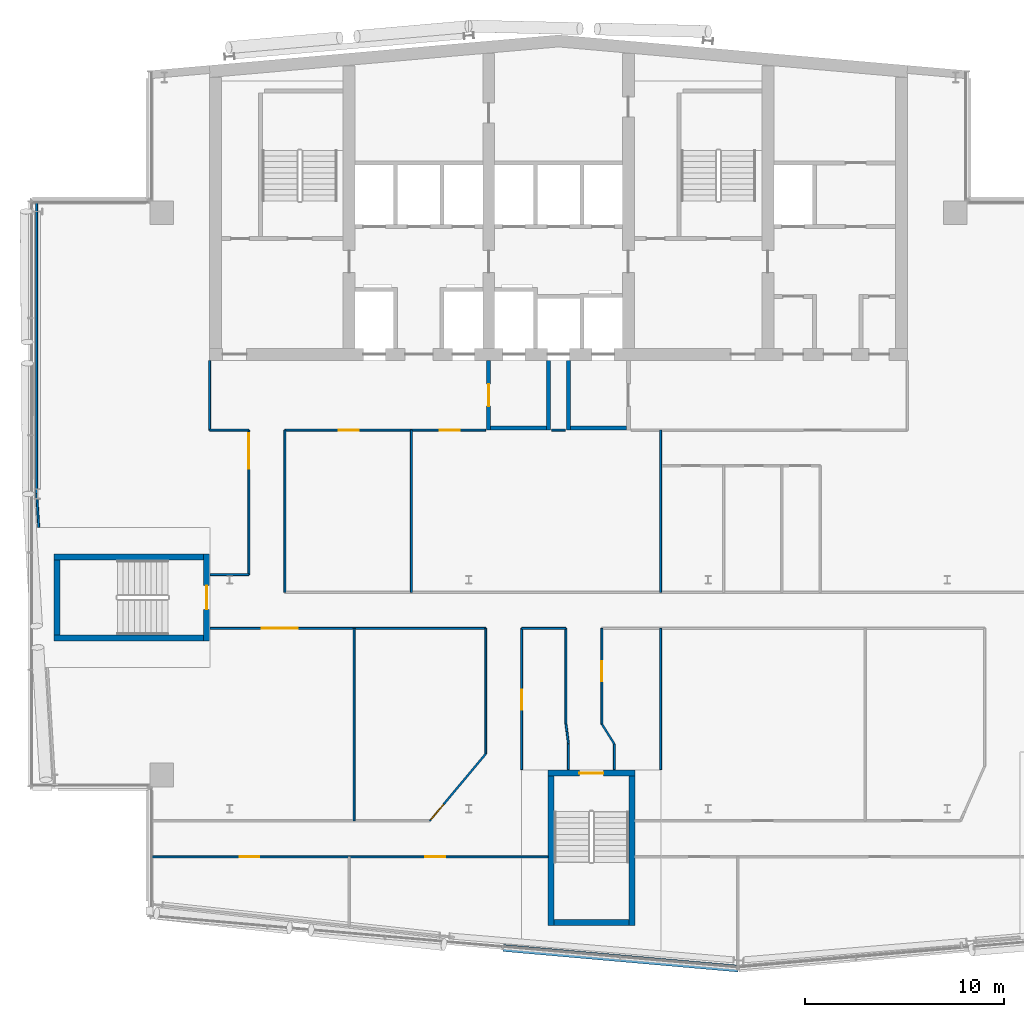
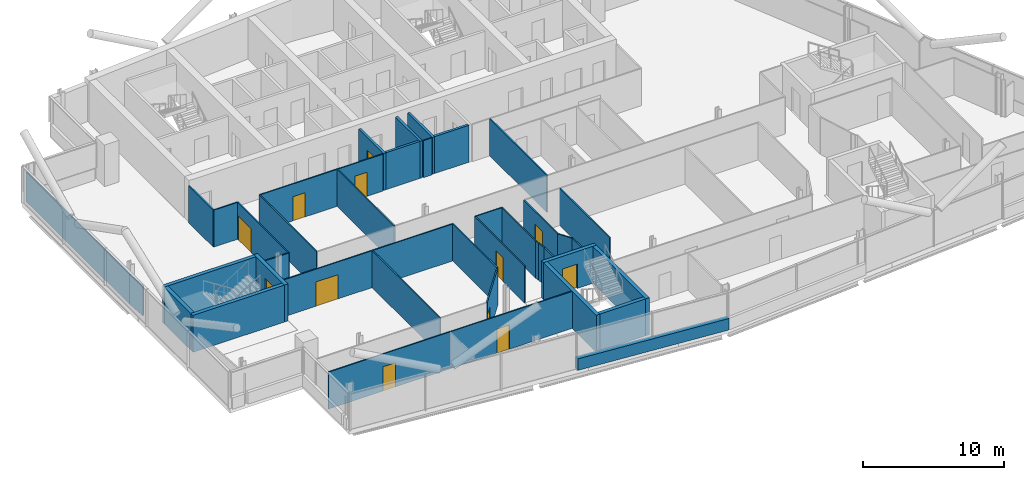
# One storey, part 15 of 27: 40 walls, 12 doors, 12 openings.
"""IFC4 building model written with IfcOpenShell, lengths in metres."""

from ifc_helpers import new_model, si_unit, direction, frame, frame_2d, origin, place, context, subcontext, project, spatial, rectangle, extrude, material, layer, layer_set, type_object, element, fill, save


model = new_model("IFC4")

# Units and contexts
model_context = context("Model", 3, precision=1e-05, world=origin(), true_north=direction((0.0, 1.0)))
body_context = subcontext(model_context, "Body", "Model", "MODEL_VIEW")
ifc_project = project(units=[si_unit("LENGTHUNIT", "METRE"), si_unit("AREAUNIT", "SQUARE_METRE"), si_unit("VOLUMEUNIT", "CUBIC_METRE"), si_unit("PLANEANGLEUNIT", "RADIAN"), si_unit("MASSUNIT", "GRAM", prefix="KILO")], contexts=[model_context])

# Site, building, storey
site_placement = place(None, origin())
site = spatial("IfcSite", under=ifc_project, at=site_placement, CompositionType="ELEMENT")
building_placement = place(site_placement, origin())
building = spatial("IfcBuilding", under=site, at=building_placement, Name="Wharfspan Tower", CompositionType="ELEMENT")
storey_placement = place(building_placement, frame((0.0, 0.0, 243.100098)))
storey = spatial("IfcBuildingStorey", under=building, at=storey_placement, Name="L61", CompositionType="ELEMENT", Elevation=243.100098)

# Wall, openings, doors
ifc_material_1 = material(Name="Gypsum board on steel studs", Category="steel")
ifc_layer_1 = layer(ifc_material_1, 0.100098)
ifc_layer_set_1 = layer_set([ifc_layer_1], Name="Gypsum board on steel studs")
wall_type_1 = type_object("IfcWallType", Name="Compartment wall 100 EI 60", PredefinedType="PARTITIONING", material=ifc_layer_set_1)
wall_1_placement = place(storey_placement, frame((20.02002, 9.094971, 0.0), z_axis=(0.0, 0.0, 1.0), x_axis=(1.0, 0.0, 0.0)))
wall_1 = element("IfcWall", 1, at=wall_1_placement, inside=storey, type_object=wall_type_1, Name="Partition L61.w004", PredefinedType="PARTITIONING", context=body_context, shape_type="SweptSolid", body=[
    extrude(rectangle(XDim=19.957031, YDim=0.100098, at=frame_2d((9.978516, 0.0))), origin(), (0.0, 0.0, 1.0), 3.199951),
])
opening_1_placement = place(wall_1_placement, frame((4.47998, 0.0, 0.0)))
opening_1 = element("IfcOpeningElement", 2, at=opening_1_placement, cuts=wall_1, Name="Opening D5-01", PredefinedType="OPENING", context=body_context, shape_type="SweptSolid", body=[
    extrude(rectangle(XDim=1.0, YDim=2.100098, at=frame_2d((0.5, 1.050049))), frame((0.0, 0.060059, 0.0), z_axis=(0.0, -1.0, 0.0), x_axis=(1.0, 0.0, 0.0)), (0.0, 0.0, 1.0), 0.120117),
])
opening_2_placement = place(wall_1_placement, frame((13.800049, 0.0, 0.0)))
opening_2 = element("IfcOpeningElement", 3, at=opening_2_placement, cuts=wall_1, Name="Opening D5-02", PredefinedType="OPENING", context=body_context, shape_type="SweptSolid", body=[
    extrude(rectangle(XDim=1.0, YDim=2.100098, at=frame_2d((0.5, 1.050049))), frame((0.0, 0.060059, 0.0), z_axis=(0.0, -1.0, 0.0), x_axis=(1.0, 0.0, 0.0)), (0.0, 0.0, 1.0), 0.120117),
])
ifc_material_2 = material(Name="Fire-rated timber door leaf in steel frame", Category="steel")
door_type_1 = type_object("IfcDoorType", Name="Door 1000 FD30S Left", OperationType="SINGLE_SWING_LEFT", PredefinedType="DOOR", material=ifc_material_2)
door_1_placement = place(opening_1_placement, origin())
door_1 = element("IfcDoor", 4, at=door_1_placement, inside=storey, type_object=door_type_1, Name="Door D5-01", OperationType="SINGLE_SWING_LEFT", OverallHeight=2.100098, OverallWidth=1.0, PredefinedType="DOOR", context=body_context, shape_type="SweptSolid", body=[
    extrude(rectangle(XDim=1.0, YDim=2.100098, at=frame_2d((0.5, 1.050049))), frame((0.0, 0.024902, 0.0), z_axis=(0.0, -1.0, 0.0), x_axis=(1.0, 0.0, 0.0)), (0.0, 0.0, 1.0), 0.050049),
])
fill(opening_1, door_1)
door_type_2 = type_object("IfcDoorType", Name="Door 1000 FD30S Right", OperationType="SINGLE_SWING_RIGHT", PredefinedType="DOOR", material=ifc_material_2)
door_2_placement = place(opening_2_placement, origin())
door_2 = element("IfcDoor", 5, at=door_2_placement, inside=storey, type_object=door_type_2, Name="Door D5-02", OperationType="SINGLE_SWING_RIGHT", OverallHeight=2.100098, OverallWidth=1.0, PredefinedType="DOOR", context=body_context, shape_type="SweptSolid", body=[
    extrude(rectangle(XDim=1.0, YDim=2.100098, at=frame_2d((0.5, 1.050049))), frame((0.0, 0.024902, 0.0), z_axis=(0.0, -1.0, 0.0), x_axis=(1.0, 0.0, 0.0)), (0.0, 0.0, 1.0), 0.050049),
])
fill(opening_2, door_2)

# Walls
wall_2_placement = place(storey_placement, frame((23.0, 30.5, 0.0), z_axis=(0.0, 0.0, 1.0), x_axis=(0.0, 1.0, 0.0)))
element("IfcWall", 6, at=wall_2_placement, inside=storey, type_object=wall_type_1, Name="Partition L61.w006", PredefinedType="PARTITIONING", context=body_context, shape_type="SweptSolid", body=[
    extrude(rectangle(XDim=3.47998, YDim=0.100098, at=frame_2d((1.73999, 0.0))), origin(), (0.0, 0.0, 1.0), 3.199951),
])
wall_3_placement = place(storey_placement, frame((23.0, 30.5, 0.0), z_axis=(0.0, 0.0, 1.0), x_axis=(1.0, 0.0, 0.0)))
element("IfcWall", 7, at=wall_3_placement, inside=storey, type_object=wall_type_1, Name="Partition L61.w007", PredefinedType="PARTITIONING", context=body_context, shape_type="SweptSolid", body=[
    extrude(rectangle(XDim=1.969971, YDim=0.100098, at=frame_2d((0.984863, 0.0))), origin(), (0.0, 0.0, 1.0), 3.199951),
])

# Wall, opening, door
wall_4_placement = place(storey_placement, frame((23.02002, 20.554932, 0.0), z_axis=(0.0, 0.0, 1.0), x_axis=(1.0, 0.0, 0.0)))
wall_4 = element("IfcWall", 8, at=wall_4_placement, inside=storey, type_object=wall_type_1, Name="Partition L61.w008", PredefinedType="PARTITIONING", context=body_context, shape_type="SweptSolid", body=[
    extrude(rectangle(XDim=13.830078, YDim=0.100098, at=frame_2d((6.915039, 0.0))), origin(), (0.0, 0.0, 1.0), 3.199951),
])
opening_3_placement = place(wall_4_placement, frame((2.60498, 0.0, 0.0)))
opening_3 = element("IfcOpeningElement", 9, at=opening_3_placement, cuts=wall_4, Name="Opening D5-13", PredefinedType="OPENING", context=body_context, shape_type="SweptSolid", body=[
    extrude(rectangle(XDim=1.800049, YDim=2.100098, at=frame_2d((0.899902, 1.050049))), frame((0.0, 0.060059, 0.0), z_axis=(0.0, -1.0, 0.0), x_axis=(1.0, 0.0, 0.0)), (0.0, 0.0, 1.0), 0.120117),
])
door_type_3 = type_object("IfcDoorType", Name="Door 1800 FD30S Double", OperationType="DOUBLE_DOOR_SINGLE_SWING", PredefinedType="DOOR", material=ifc_material_2)
door_3_placement = place(opening_3_placement, origin())
door_3 = element("IfcDoor", 10, at=door_3_placement, inside=storey, type_object=door_type_3, Name="Door D5-13", OperationType="DOUBLE_DOOR_SINGLE_SWING", OverallHeight=2.100098, OverallWidth=1.800049, PredefinedType="DOOR", context=body_context, shape_type="SweptSolid", body=[
    extrude(rectangle(XDim=1.800049, YDim=2.100098, at=frame_2d((0.899902, 1.050049))), frame((0.0, 0.024902, 0.0), z_axis=(0.0, -1.0, 0.0), x_axis=(1.0, 0.0, 0.0)), (0.0, 0.0, 1.0), 0.050049),
])
fill(opening_3, door_3)

# Wall
wall_5_placement = place(storey_placement, frame((23.02002, 23.25, 0.0), z_axis=(0.0, 0.0, 1.0), x_axis=(1.0, 0.0, 0.0)))
element("IfcWall", 11, at=wall_5_placement, inside=storey, type_object=wall_type_1, Name="Partition L61.w009", PredefinedType="PARTITIONING", context=body_context, shape_type="SweptSolid", body=[
    extrude(rectangle(XDim=1.949951, YDim=0.100098, at=frame_2d((0.975098, 0.0))), origin(), (0.0, 0.0, 1.0), 3.199951),
])

# Wall, opening, door
wall_6_placement = place(storey_placement, frame((24.969971, 23.25, 0.0), z_axis=(0.0, 0.0, 1.0), x_axis=(0.0, 1.0, 0.0)))
wall_6 = element("IfcWall", 12, at=wall_6_placement, inside=storey, type_object=wall_type_1, Name="Partition L61.w010", PredefinedType="PARTITIONING", context=body_context, shape_type="SweptSolid", body=[
    extrude(rectangle(XDim=7.25, YDim=0.100098, at=frame_2d((3.625, 0.0))), origin(), (0.0, 0.0, 1.0), 3.199951),
])
opening_4_placement = place(wall_6_placement, frame((5.300049, 0.0, 0.0)))
opening_4 = element("IfcOpeningElement", 13, at=opening_4_placement, cuts=wall_6, Name="Opening D5-18", PredefinedType="OPENING", context=body_context, shape_type="SweptSolid", body=[
    extrude(rectangle(XDim=1.800049, YDim=2.100098, at=frame_2d((0.899902, 1.050049))), frame((0.0, 0.060059, 0.0), z_axis=(0.0, -1.0, 0.0), x_axis=(1.0, 0.0, 0.0)), (0.0, 0.0, 1.0), 0.120117),
])
door_4_placement = place(opening_4_placement, origin())
door_4 = element("IfcDoor", 14, at=door_4_placement, inside=storey, type_object=door_type_3, Name="Door D5-18", OperationType="DOUBLE_DOOR_SINGLE_SWING", OverallHeight=2.100098, OverallWidth=1.800049, PredefinedType="DOOR", context=body_context, shape_type="SweptSolid", body=[
    extrude(rectangle(XDim=1.800049, YDim=2.100098, at=frame_2d((0.899902, 1.050049))), frame((0.0, 0.024902, 0.0), z_axis=(0.0, -1.0, 0.0), x_axis=(1.0, 0.0, 0.0)), (0.0, 0.0, 1.0), 0.050049),
])
fill(opening_4, door_4)

# Wall
wall_7_placement = place(storey_placement, frame((26.77002, 22.360107, 0.0), z_axis=(0.0, 0.0, 1.0), x_axis=(0.0, 1.0, 0.0)))
element("IfcWall", 15, at=wall_7_placement, inside=storey, type_object=wall_type_1, Name="Partition L61.w011", PredefinedType="PARTITIONING", context=body_context, shape_type="SweptSolid", body=[
    extrude(rectangle(XDim=8.139893, YDim=0.100098, at=frame_2d((4.069824, 0.0))), origin(), (0.0, 0.0, 1.0), 3.199951),
])

# Wall, openings, doors
wall_8_placement = place(storey_placement, frame((26.77002, 30.5, 0.0), z_axis=(0.0, 0.0, 1.0), x_axis=(1.0, 0.0, 0.0)))
wall_8 = element("IfcWall", 16, at=wall_8_placement, inside=storey, type_object=wall_type_1, Name="Partition L61.w013", PredefinedType="PARTITIONING", context=body_context, shape_type="SweptSolid", body=[
    extrude(rectangle(XDim=10.080078, YDim=0.100098, at=frame_2d((5.040039, 0.0))), origin(), (0.0, 0.0, 1.0), 3.199951),
])
opening_5_placement = place(wall_8_placement, frame((2.699951, 0.0, 0.0)))
opening_5 = element("IfcOpeningElement", 17, at=opening_5_placement, cuts=wall_8, Name="Opening D5-19", PredefinedType="OPENING", context=body_context, shape_type="SweptSolid", body=[
    extrude(rectangle(XDim=1.0, YDim=2.100098, at=frame_2d((0.5, 1.050049))), frame((0.0, 0.060059, 0.0), z_axis=(0.0, -1.0, 0.0), x_axis=(1.0, 0.0, 0.0)), (0.0, 0.0, 1.0), 0.120117),
])
opening_6_placement = place(wall_8_placement, frame((7.774902, 0.0, 0.0)))
opening_6 = element("IfcOpeningElement", 18, at=opening_6_placement, cuts=wall_8, Name="Opening D5-20", PredefinedType="OPENING", context=body_context, shape_type="SweptSolid", body=[
    extrude(rectangle(XDim=1.0, YDim=2.100098, at=frame_2d((0.5, 1.050049))), frame((0.0, 0.060059, 0.0), z_axis=(0.0, -1.0, 0.0), x_axis=(1.0, 0.0, 0.0)), (0.0, 0.0, 1.0), 0.120117),
])
door_5_placement = place(opening_5_placement, origin())
door_5 = element("IfcDoor", 19, at=door_5_placement, inside=storey, type_object=door_type_1, Name="Door D5-19", OperationType="SINGLE_SWING_LEFT", OverallHeight=2.100098, OverallWidth=1.0, PredefinedType="DOOR", context=body_context, shape_type="SweptSolid", body=[
    extrude(rectangle(XDim=1.0, YDim=2.100098, at=frame_2d((0.5, 1.050049))), frame((0.0, 0.024902, 0.0), z_axis=(0.0, -1.0, 0.0), x_axis=(1.0, 0.0, 0.0)), (0.0, 0.0, 1.0), 0.050049),
])
fill(opening_5, door_5)
door_6_placement = place(opening_6_placement, origin())
door_6 = element("IfcDoor", 20, at=door_6_placement, inside=storey, type_object=door_type_1, Name="Door D5-20", OperationType="SINGLE_SWING_LEFT", OverallHeight=2.100098, OverallWidth=1.0, PredefinedType="DOOR", context=body_context, shape_type="SweptSolid", body=[
    extrude(rectangle(XDim=1.0, YDim=2.100098, at=frame_2d((0.5, 1.050049))), frame((0.0, 0.024902, 0.0), z_axis=(0.0, -1.0, 0.0), x_axis=(1.0, 0.0, 0.0)), (0.0, 0.0, 1.0), 0.050049),
])
fill(opening_6, door_6)

# Walls
wall_9_placement = place(storey_placement, frame((30.25, 10.899902, 0.0), z_axis=(0.0, 0.0, 1.0), x_axis=(0.0, 1.0, 0.0)))
element("IfcWall", 21, at=wall_9_placement, inside=storey, type_object=wall_type_1, Name="Partition L61.w015", PredefinedType="PARTITIONING", context=body_context, shape_type="SweptSolid", body=[
    extrude(rectangle(XDim=9.655029, YDim=0.100098, at=frame_2d((4.827637, 0.0))), origin(), (0.0, 0.0, 1.0), 3.199951),
])
wall_10_placement = place(storey_placement, frame((33.125, 22.360107, 0.0), z_axis=(0.0, 0.0, 1.0), x_axis=(0.0, 1.0, 0.0)))
element("IfcWall", 22, at=wall_10_placement, inside=storey, type_object=wall_type_1, Name="Partition L61.w016", PredefinedType="PARTITIONING", context=body_context, shape_type="SweptSolid", body=[
    extrude(rectangle(XDim=8.139893, YDim=0.100098, at=frame_2d((4.069824, 0.0))), origin(), (0.0, 0.0, 1.0), 3.199951),
])

# Wall, opening, door
wall_11_placement = place(storey_placement, frame((34.040039, 10.89502, 0.0), z_axis=(0.0, 0.0, 1.0), x_axis=(0.641555, 0.767079, 0.0)))
wall_11 = element("IfcWall", 23, at=wall_11_placement, inside=storey, type_object=wall_type_1, Name="Partition L61.w017", PredefinedType="PARTITIONING", context=body_context, shape_type="SweptSolid", body=[
    extrude(rectangle(XDim=4.380127, YDim=0.100098, at=frame_2d((2.189941, 0.0))), origin(), (0.0, 0.0, 1.0), 3.199951),
])
opening_7_placement = place(wall_11_placement, frame((0.080078, 0.0, 0.0)))
opening_7 = element("IfcOpeningElement", 24, at=opening_7_placement, cuts=wall_11, Name="Opening D5-09", PredefinedType="OPENING", context=body_context, shape_type="SweptSolid", body=[
    extrude(rectangle(XDim=1.0, YDim=2.100098, at=frame_2d((0.5, 1.050049))), frame((0.0, 0.060059, 0.0), z_axis=(0.0, -1.0, 0.0), x_axis=(1.0, 0.0, 0.0)), (0.0, 0.0, 1.0), 0.120117),
])
door_7_placement = place(opening_7_placement, origin())
door_7 = element("IfcDoor", 25, at=door_7_placement, inside=storey, type_object=door_type_1, Name="Door D5-09", OperationType="SINGLE_SWING_LEFT", OverallHeight=2.100098, OverallWidth=1.0, PredefinedType="DOOR", context=body_context, shape_type="SweptSolid", body=[
    extrude(rectangle(XDim=1.0, YDim=2.100098, at=frame_2d((0.5, 1.050049))), frame((0.0, 0.024902, 0.0), z_axis=(0.0, -1.0, 0.0), x_axis=(1.0, 0.0, 0.0)), (0.0, 0.0, 1.0), 0.050049),
])
fill(opening_7, door_7)

# Wall
wall_12_placement = place(storey_placement, frame((36.850098, 14.254883, 0.0), z_axis=(0.0, 0.0, 1.0), x_axis=(0.0, 1.0, 0.0)))
element("IfcWall", 26, at=wall_12_placement, inside=storey, type_object=wall_type_1, Name="Partition L61.w019", PredefinedType="PARTITIONING", context=body_context, shape_type="SweptSolid", body=[
    extrude(rectangle(XDim=6.300049, YDim=0.100098, at=frame_2d((3.149902, 0.0))), origin(), (0.0, 0.0, 1.0), 3.199951),
])

# Wall, opening, door
wall_13_placement = place(storey_placement, frame((38.655029, 13.463135, 0.0), z_axis=(0.0, 0.0, 1.0), x_axis=(0.0, 1.0, 0.0)))
wall_13 = element("IfcWall", 27, at=wall_13_placement, inside=storey, type_object=wall_type_1, Name="Partition L61.w020", PredefinedType="PARTITIONING", context=body_context, shape_type="SweptSolid", body=[
    extrude(rectangle(XDim=7.091797, YDim=0.100098, at=frame_2d((3.545898, 0.0))), origin(), (0.0, 0.0, 1.0), 3.199951),
])
opening_8_placement = place(wall_13_placement, frame((3.006836, 0.0, 0.0)))
opening_8 = element("IfcOpeningElement", 28, at=opening_8_placement, cuts=wall_13, Name="Opening D5-11", PredefinedType="OPENING", context=body_context, shape_type="SweptSolid", body=[
    extrude(rectangle(XDim=1.0, YDim=2.100098, at=frame_2d((0.5, 1.050049))), frame((0.0, 0.060059, 0.0), z_axis=(0.0, -1.0, 0.0), x_axis=(1.0, 0.0, 0.0)), (0.0, 0.0, 1.0), 0.120117),
])
door_8_placement = place(opening_8_placement, origin())
door_8 = element("IfcDoor", 29, at=door_8_placement, inside=storey, type_object=door_type_1, Name="Door D5-11", OperationType="SINGLE_SWING_LEFT", OverallHeight=2.100098, OverallWidth=1.0, PredefinedType="DOOR", context=body_context, shape_type="SweptSolid", body=[
    extrude(rectangle(XDim=1.0, YDim=2.100098, at=frame_2d((0.5, 1.050049))), frame((0.0, 0.024902, 0.0), z_axis=(0.0, -1.0, 0.0), x_axis=(1.0, 0.0, 0.0)), (0.0, 0.0, 1.0), 0.050049),
])
fill(opening_8, door_8)

# Walls
wall_14_placement = place(storey_placement, frame((38.655029, 20.554932, 0.0), z_axis=(0.0, 0.0, 1.0), x_axis=(1.0, 0.0, 0.0)))
element("IfcWall", 30, at=wall_14_placement, inside=storey, type_object=wall_type_1, Name="Partition L61.w021", PredefinedType="PARTITIONING", context=body_context, shape_type="SweptSolid", body=[
    extrude(rectangle(XDim=2.219971, YDim=0.100098, at=frame_2d((1.109863, 0.0))), origin(), (0.0, 0.0, 1.0), 3.199951),
])
wall_15_placement = place(storey_placement, frame((40.875, 15.745117, 0.0), z_axis=(0.0, 0.0, 1.0), x_axis=(0.0, 1.0, 0.0)))
element("IfcWall", 31, at=wall_15_placement, inside=storey, type_object=wall_type_1, Name="Partition L61.w022", PredefinedType="PARTITIONING", context=body_context, shape_type="SweptSolid", body=[
    extrude(rectangle(XDim=4.809814, YDim=0.100098, at=frame_2d((2.404785, 0.0))), origin(), (0.0, 0.0, 1.0), 3.199951),
])
wall_16_placement = place(storey_placement, frame((40.919922, 15.38501, 0.0), z_axis=(0.0, 0.0, 1.0), x_axis=(-0.123786, 0.992306, 0.0)))
element("IfcWall", 32, at=wall_16_placement, inside=storey, type_object=wall_type_1, Name="Partition L61.w023", PredefinedType="PARTITIONING", context=body_context, shape_type="SweptSolid", body=[
    extrude(rectangle(XDim=0.362793, YDim=0.100098, at=frame_2d((0.181396, 0.0))), origin(), (0.0, 0.0, 1.0), 3.199951),
])
wall_17_placement = place(storey_placement, frame((41.0, 14.77002, 0.0), z_axis=(0.0, 0.0, 1.0), x_axis=(-0.12912, 0.991626, 0.0)))
element("IfcWall", 33, at=wall_17_placement, inside=storey, type_object=wall_type_1, Name="Partition L61.w024", PredefinedType="PARTITIONING", context=body_context, shape_type="SweptSolid", body=[
    extrude(rectangle(XDim=0.620117, YDim=0.100098, at=frame_2d((0.310059, 0.0))), origin(), (0.0, 0.0, 1.0), 3.199951),
])
wall_18_placement = place(storey_placement, frame((41.0, 13.463135, 0.0), z_axis=(0.0, 0.0, 1.0), x_axis=(0.0, 1.0, 0.0)))
element("IfcWall", 34, at=wall_18_placement, inside=storey, type_object=wall_type_1, Name="Partition L61.w025", PredefinedType="PARTITIONING", context=body_context, shape_type="SweptSolid", body=[
    extrude(rectangle(XDim=1.281982, YDim=0.100098, at=frame_2d((0.641113, 0.0))), origin(), (0.0, 0.0, 1.0), 3.199951),
])

# Wall, opening, door
wall_19_placement = place(storey_placement, frame((42.679932, 15.745117, 0.0), z_axis=(0.0, 0.0, 1.0), x_axis=(0.0, 1.0, 0.0)))
wall_19 = element("IfcWall", 35, at=wall_19_placement, inside=storey, type_object=wall_type_1, Name="Partition L61.w026", PredefinedType="PARTITIONING", context=body_context, shape_type="SweptSolid", body=[
    extrude(rectangle(XDim=4.809814, YDim=0.100098, at=frame_2d((2.404785, 0.0))), origin(), (0.0, 0.0, 1.0), 3.199951),
])
opening_9_placement = place(wall_19_placement, frame((2.145752, 0.0, 0.0)))
opening_9 = element("IfcOpeningElement", 36, at=opening_9_placement, cuts=wall_19, Name="Opening D5-12", PredefinedType="OPENING", context=body_context, shape_type="SweptSolid", body=[
    extrude(rectangle(XDim=1.0, YDim=2.100098, at=frame_2d((0.5, 1.050049))), frame((0.0, 0.060059, 0.0), z_axis=(0.0, -1.0, 0.0), x_axis=(1.0, 0.0, 0.0)), (0.0, 0.0, 1.0), 0.120117),
])
door_9_placement = place(opening_9_placement, origin())
door_9 = element("IfcDoor", 37, at=door_9_placement, inside=storey, type_object=door_type_2, Name="Door D5-12", OperationType="SINGLE_SWING_RIGHT", OverallHeight=2.100098, OverallWidth=1.0, PredefinedType="DOOR", context=body_context, shape_type="SweptSolid", body=[
    extrude(rectangle(XDim=1.0, YDim=2.100098, at=frame_2d((0.5, 1.050049))), frame((0.0, 0.024902, 0.0), z_axis=(0.0, -1.0, 0.0), x_axis=(1.0, 0.0, 0.0)), (0.0, 0.0, 1.0), 0.050049),
])
fill(opening_9, door_9)

# Walls
wall_20_placement = place(storey_placement, frame((43.304932, 13.463135, 0.0), z_axis=(0.0, 0.0, 1.0), x_axis=(0.0, 1.0, 0.0)))
element("IfcWall", 38, at=wall_20_placement, inside=storey, type_object=wall_type_1, Name="Partition L61.w028", PredefinedType="PARTITIONING", context=body_context, shape_type="SweptSolid", body=[
    extrude(rectangle(XDim=1.281982, YDim=0.100098, at=frame_2d((0.641113, 0.0))), origin(), (0.0, 0.0, 1.0), 3.199951),
])
wall_21_placement = place(storey_placement, frame((43.304932, 14.745117, 0.0), z_axis=(0.0, 0.0, 1.0), x_axis=(-0.53, 0.848, 0.0)))
element("IfcWall", 39, at=wall_21_placement, inside=storey, type_object=wall_type_1, Name="Partition L61.w029", PredefinedType="PARTITIONING", context=body_context, shape_type="SweptSolid", body=[
    extrude(rectangle(XDim=1.179199, YDim=0.100098, at=frame_2d((0.5896, 0.0))), origin(), (0.0, 0.0, 1.0), 3.199951),
])
wall_22_placement = place(storey_placement, frame((45.625, 13.463135, 0.0), z_axis=(0.0, 0.0, 1.0), x_axis=(0.0, 1.0, 0.0)))
element("IfcWall", 40, at=wall_22_placement, inside=storey, type_object=wall_type_1, Name="Partition L61.w032", PredefinedType="PARTITIONING", context=body_context, shape_type="SweptSolid", body=[
    extrude(rectangle(XDim=7.091797, YDim=0.100098, at=frame_2d((3.545898, 0.0))), origin(), (0.0, 0.0, 1.0), 3.199951),
])
wall_23_placement = place(storey_placement, frame((45.625, 22.360107, 0.0), z_axis=(0.0, 0.0, 1.0), x_axis=(0.0, 1.0, 0.0)))
element("IfcWall", 41, at=wall_23_placement, inside=storey, type_object=wall_type_1, Name="Partition L61.w033", PredefinedType="PARTITIONING", context=body_context, shape_type="SweptSolid", body=[
    extrude(rectangle(XDim=8.129883, YDim=0.100098, at=frame_2d((4.064941, 0.0))), origin(), (0.0, 0.0, 1.0), 3.199951),
])
wall_24_placement = place(storey_placement, frame((40.149902, 30.5, 0.0), z_axis=(0.0, 0.0, 1.0), x_axis=(1.0, 0.0, 0.0)))
element("IfcWall", 42, at=wall_24_placement, inside=storey, type_object=wall_type_1, Name="Partition L61.w013 (2)", PredefinedType="PARTITIONING", context=body_context, shape_type="SweptSolid", body=[
    extrude(rectangle(XDim=0.700195, YDim=0.100098, at=frame_2d((0.350098, 0.0))), origin(), (0.0, 0.0, 1.0), 3.199951),
])

# Wall, opening, door
ifc_material_3 = material(Name="Concrete C30/37", Category="concrete")
ifc_layer_2 = layer(ifc_material_3, 0.199951)
ifc_layer_set_2 = layer_set([ifc_layer_2], Name="Concrete C30/37")
wall_type_2 = type_object("IfcWallType", Name="Lobby wall 200", PredefinedType="PARTITIONING", material=ifc_layer_set_2)
wall_25_placement = place(storey_placement, frame((37.0, 30.5, 0.0), z_axis=(0.0, 0.0, 1.0), x_axis=(0.0, 1.0, 0.0)))
wall_25 = element("IfcWall", 43, at=wall_25_placement, inside=storey, type_object=wall_type_2, Name="sw:L61:FLFF1W", PredefinedType="PARTITIONING", context=body_context, shape_type="SweptSolid", body=[
    extrude(rectangle(XDim=3.5, YDim=0.199951, at=frame_2d((1.75, 0.0))), origin(), (0.0, 0.0, 1.0), 3.199951),
])
opening_10_placement = place(wall_25_placement, frame((1.199951, 0.0, 0.0)))
opening_10 = element("IfcOpeningElement", 44, at=opening_10_placement, cuts=wall_25, Name="Opening FL.FF1.L61", PredefinedType="OPENING", context=body_context, shape_type="SweptSolid", body=[
    extrude(rectangle(XDim=1.100098, YDim=2.100098, at=frame_2d((0.550049, 1.050049))), frame((0.0, 0.109863, 0.0), z_axis=(0.0, -1.0, 0.0), x_axis=(1.0, 0.0, 0.0)), (0.0, 0.0, 1.0), 0.219971),
])
ifc_material_4 = material(Name="Steel door leaf", Category="steel")
door_type_4 = type_object("IfcDoorType", Name="Firefighting lobby door 1100x2100", OperationType="SINGLE_SWING_LEFT", PredefinedType="DOOR", material=ifc_material_4)
door_10_placement = place(opening_10_placement, origin())
door_10 = element("IfcDoor", 45, at=door_10_placement, inside=storey, type_object=door_type_4, Name="fd:L61:FF1", OperationType="SINGLE_SWING_LEFT", OverallHeight=2.100098, OverallWidth=1.100098, PredefinedType="DOOR", context=body_context, shape_type="SweptSolid", body=[
    extrude(rectangle(XDim=1.100098, YDim=2.100098, at=frame_2d((0.550049, 1.050049))), frame((0.0, 0.024902, 0.0), z_axis=(0.0, -1.0, 0.0), x_axis=(1.0, 0.0, 0.0)), (0.0, 0.0, 1.0), 0.050049),
])
fill(opening_10, door_10)

# Walls
wall_26_placement = place(storey_placement, frame((40.0, 30.5, 0.0), z_axis=(0.0, 0.0, 1.0), x_axis=(0.0, 1.0, 0.0)))
element("IfcWall", 46, at=wall_26_placement, inside=storey, type_object=wall_type_2, Name="sw:L61:FLFF1E", PredefinedType="PARTITIONING", context=body_context, shape_type="SweptSolid", body=[
    extrude(rectangle(XDim=3.5, YDim=0.199951, at=frame_2d((1.75, 0.0))), origin(), (0.0, 0.0, 1.0), 3.199951),
])
wall_27_placement = place(storey_placement, frame((37.100098, 30.600098, 0.0), z_axis=(0.0, 0.0, 1.0), x_axis=(1.0, 0.0, 0.0)))
element("IfcWall", 47, at=wall_27_placement, inside=storey, type_object=wall_type_2, Name="sw:L61:FLFF1F", PredefinedType="PARTITIONING", context=body_context, shape_type="SweptSolid", body=[
    extrude(rectangle(XDim=2.799805, YDim=0.199951, at=frame_2d((1.399902, 0.0))), origin(), (0.0, 0.0, 1.0), 3.199951),
])
wall_28_placement = place(storey_placement, frame((41.0, 30.5, 0.0), z_axis=(0.0, 0.0, 1.0), x_axis=(0.0, 1.0, 0.0)))
element("IfcWall", 48, at=wall_28_placement, inside=storey, type_object=wall_type_2, Name="sw:L61:FLFF2W", PredefinedType="PARTITIONING", context=body_context, shape_type="SweptSolid", body=[
    extrude(rectangle(XDim=3.5, YDim=0.199951, at=frame_2d((1.75, 0.0))), origin(), (0.0, 0.0, 1.0), 3.199951),
])
wall_29_placement = place(storey_placement, frame((41.100098, 30.600098, 0.0), z_axis=(0.0, 0.0, 1.0), x_axis=(1.0, 0.0, 0.0)))
element("IfcWall", 49, at=wall_29_placement, inside=storey, type_object=wall_type_2, Name="sw:L61:FLFF2F", PredefinedType="PARTITIONING", context=body_context, shape_type="SweptSolid", body=[
    extrude(rectangle(XDim=2.799805, YDim=0.199951, at=frame_2d((1.399902, 0.0))), origin(), (0.0, 0.0, 1.0), 3.199951),
])
ifc_layer_3 = layer(ifc_material_1, 0.100098)
ifc_layer_set_3 = layer_set([ifc_layer_3], Name="Gypsum board on steel studs")
wall_type_3 = type_object("IfcWallType", Name="Partition 100", PredefinedType="PARTITIONING", material=ifc_layer_set_3)
wall_30_placement = place(storey_placement, frame((14.324951, 27.300049, 0.0), z_axis=(0.0, 0.0, 1.0), x_axis=(0.0, 1.0, 0.0)))
element("IfcWall", 50, at=wall_30_placement, inside=storey, type_object=wall_type_3, Name="Partition L61.w001", PredefinedType="PARTITIONING", context=body_context, shape_type="SweptSolid", body=[
    extrude(rectangle(XDim=14.679932, YDim=0.100098, at=frame_2d((7.339844, 0.0))), origin(), (0.0, 0.0, 1.0), 2.579834),
])
wall_31_placement = place(storey_placement, frame((14.428711, 25.620117, 0.0), z_axis=(0.0, 0.0, 1.0), x_axis=(-0.061647, 0.998101, 0.0)))
element("IfcWall", 51, at=wall_31_placement, inside=storey, type_object=wall_type_3, Name="Partition L61.w002", PredefinedType="PARTITIONING", context=body_context, shape_type="SweptSolid", body=[
    extrude(rectangle(XDim=1.683105, YDim=0.100098, at=frame_2d((0.841553, 0.0))), origin(), (0.0, 0.0, 1.0), 2.579834),
])
ifc_material_5 = material(Name="Concrete C40/50", Category="concrete")
ifc_layer_4 = layer(ifc_material_5, 0.350098)
ifc_layer_set_4 = layer_set([ifc_layer_4], Name="Concrete C40/50")
wall_type_4 = type_object("IfcWallType", Name="SPANDREL EXPOSED CONCRETE 350", PredefinedType="SOLIDWALL", material=ifc_layer_set_4)
wall_32_placement = place(storey_placement, frame((37.729492, 4.519043, 0.0), z_axis=(0.0, 0.0, 1.0), x_axis=(0.99619, -0.087167, 0.0)))
element("IfcWall", 52, at=wall_32_placement, inside=storey, type_object=wall_type_4, Name="Spandrel upstand L61 S1", PredefinedType="SOLIDWALL", context=body_context, shape_type="SweptSolid", body=[
    extrude(rectangle(XDim=11.830566, YDim=0.350098, at=frame_2d((5.915283, 0.0))), origin(), (0.0, 0.0, 1.0), 1.0),
])

# Wall, opening, door
ifc_layer_5 = layer(ifc_material_5, 0.300049)
ifc_layer_set_5 = layer_set([ifc_layer_5], Name="Concrete C40/50")
wall_type_5 = type_object("IfcWallType", Name="Stair core wall 300", PredefinedType="SHEAR", material=ifc_layer_set_5)
wall_33_placement = place(storey_placement, frame((22.850098, 19.925049, 0.0), z_axis=(0.0, 0.0, 1.0), x_axis=(0.0, 1.0, 0.0)))
wall_33 = element("IfcWall", 53, at=wall_33_placement, inside=storey, type_object=wall_type_5, Name="ST3 stair enclosure wall L61", PredefinedType="SHEAR", context=body_context, shape_type="SweptSolid", body=[
    extrude(rectangle(XDim=4.349854, YDim=0.300049, at=frame_2d((2.174805, 0.0))), origin(), (0.0, 0.0, 1.0), 3.199951),
])
opening_11_placement = place(wall_33_placement, frame((1.574951, 0.0, 0.0)))
opening_11 = element("IfcOpeningElement", 54, at=opening_11_placement, cuts=wall_33, Name="Opening SD3.L61", PredefinedType="OPENING", context=body_context, shape_type="SweptSolid", body=[
    extrude(rectangle(XDim=1.199951, YDim=2.100098, at=frame_2d((0.600098, 1.050049))), frame((0.0, 0.159912, 0.0), z_axis=(0.0, -1.0, 0.0), x_axis=(1.0, 0.0, 0.0)), (0.0, 0.0, 1.0), 0.320068),
])
door_type_5 = type_object("IfcDoorType", Name="Stair door 1200x2100", OperationType="SINGLE_SWING_LEFT", PredefinedType="DOOR", material=ifc_material_4)
door_11_placement = place(opening_11_placement, origin())
door_11 = element("IfcDoor", 55, at=door_11_placement, inside=storey, type_object=door_type_5, Name="sd:L61:ST3z4", OperationType="SINGLE_SWING_RIGHT", OverallHeight=2.100098, OverallWidth=1.199951, PredefinedType="DOOR", context=body_context, shape_type="SweptSolid", body=[
    extrude(rectangle(XDim=1.199951, YDim=2.100098, at=frame_2d((0.600098, 1.050049))), frame((0.0, 0.024902, 0.0), z_axis=(0.0, -1.0, 0.0), x_axis=(1.0, 0.0, 0.0)), (0.0, 0.0, 1.0), 0.050049),
])
fill(opening_11, door_11)

wall_34_placement = place(storey_placement, frame((39.977051, 13.293213, 0.0), z_axis=(0.0, 0.0, 1.0), x_axis=(1.0, 0.0, 0.0)))
wall_34 = element("IfcWall", 56, at=wall_34_placement, inside=storey, type_object=wall_type_5, Name="ST4 stair enclosure wall L61", PredefinedType="SHEAR", context=body_context, shape_type="SweptSolid", body=[
    extrude(rectangle(XDim=4.350098, YDim=0.300049, at=frame_2d((2.175049, 0.0))), origin(), (0.0, 0.0, 1.0), 3.199951),
])
opening_12_placement = place(wall_34_placement, frame((1.574951, 0.0, 0.0)))
opening_12 = element("IfcOpeningElement", 57, at=opening_12_placement, cuts=wall_34, Name="Opening SD4.L61", PredefinedType="OPENING", context=body_context, shape_type="SweptSolid", body=[
    extrude(rectangle(XDim=1.199951, YDim=2.100098, at=frame_2d((0.600098, 1.050049))), frame((0.0, 0.159912, 0.0), z_axis=(0.0, -1.0, 0.0), x_axis=(1.0, 0.0, 0.0)), (0.0, 0.0, 1.0), 0.320068),
])
door_12_placement = place(opening_12_placement, origin())
door_12 = element("IfcDoor", 58, at=door_12_placement, inside=storey, type_object=door_type_5, Name="sd:L61:ST4z4", OperationType="SINGLE_SWING_RIGHT", OverallHeight=2.100098, OverallWidth=1.199951, PredefinedType="DOOR", context=body_context, shape_type="SweptSolid", body=[
    extrude(rectangle(XDim=1.199951, YDim=2.100098, at=frame_2d((0.600098, 1.050049))), frame((0.0, 0.024902, 0.0), z_axis=(0.0, -1.0, 0.0), x_axis=(1.0, 0.0, 0.0)), (0.0, 0.0, 1.0), 0.050049),
])
fill(opening_12, door_12)

# Walls
for number, where, z_axis, x_axis, name in (
    (59, (15.199951, 20.074951, 0.0), (0.0, 0.0, 1.0), (1.0, 0.0, 0.0), "ST3 stair enclosure wall L61"),
    (60, (15.199951, 24.125, 0.0), (0.0, 0.0, 1.0), (1.0, 0.0, 0.0), "ST3 stair enclosure wall L61"),
):
    element("IfcWall", number, at=place(storey_placement, frame(where, z_axis=z_axis, x_axis=x_axis)), inside=storey, type_object=wall_type_5, Name=name, PredefinedType="SHEAR", context=body_context, shape_type="SweptSolid", body=[
        extrude(rectangle(XDim=7.5, YDim=0.300049, at=frame_2d((3.75, 0.0))), origin(), (0.0, 0.0, 1.0), 3.199951),
    ])
wall_35_placement = place(storey_placement, frame((15.350098, 20.225098, 0.0), z_axis=(0.0, 0.0, 1.0), x_axis=(0.0, 1.0, 0.0)))
element("IfcWall", 61, at=wall_35_placement, inside=storey, type_object=wall_type_5, Name="ST3 stair enclosure wall L61", PredefinedType="SHEAR", context=body_context, shape_type="SweptSolid", body=[
    extrude(rectangle(XDim=3.75, YDim=0.300049, at=frame_2d((1.875, 0.0))), origin(), (0.0, 0.0, 1.0), 3.199951),
])
for number, where, z_axis, x_axis, name in (
    (62, (40.127197, 5.643311, 0.0), (0.0, 0.0, 1.0), (0.0, 1.0, 0.0), "ST4 stair enclosure wall L61"),
    (63, (44.177002, 5.643311, 0.0), (0.0, 0.0, 1.0), (0.0, 1.0, 0.0), "ST4 stair enclosure wall L61"),
):
    element("IfcWall", number, at=place(storey_placement, frame(where, z_axis=z_axis, x_axis=x_axis)), inside=storey, type_object=wall_type_5, Name=name, PredefinedType="SHEAR", context=body_context, shape_type="SweptSolid", body=[
        extrude(rectangle(XDim=7.5, YDim=0.300049, at=frame_2d((3.75, 0.0))), origin(), (0.0, 0.0, 1.0), 3.199951),
    ])
wall_36_placement = place(storey_placement, frame((40.2771, 5.793213, 0.0), z_axis=(0.0, 0.0, 1.0), x_axis=(1.0, 0.0, 0.0)))
element("IfcWall", 64, at=wall_36_placement, inside=storey, type_object=wall_type_5, Name="ST4 stair enclosure wall L61", PredefinedType="SHEAR", context=body_context, shape_type="SweptSolid", body=[
    extrude(rectangle(XDim=3.75, YDim=0.300049, at=frame_2d((1.875, 0.0))), origin(), (0.0, 0.0, 1.0), 3.199951),
])

save(model, "model.ifc")
